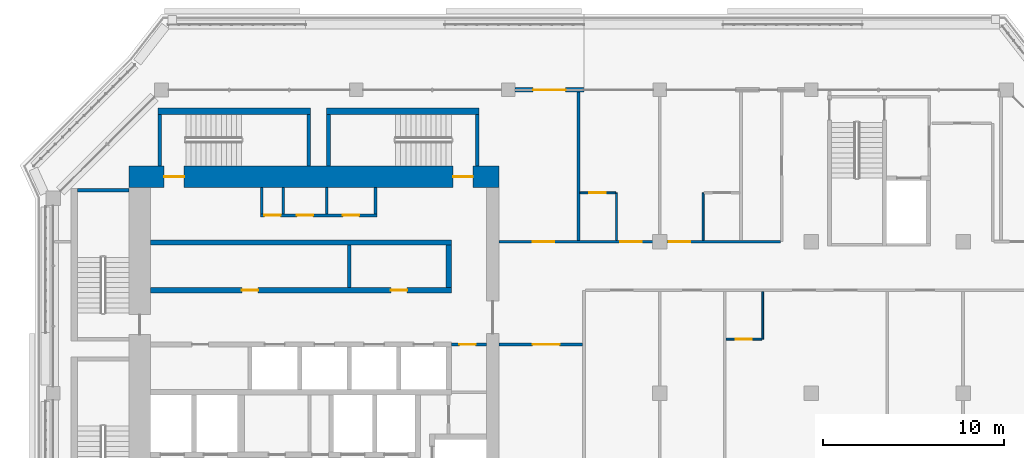
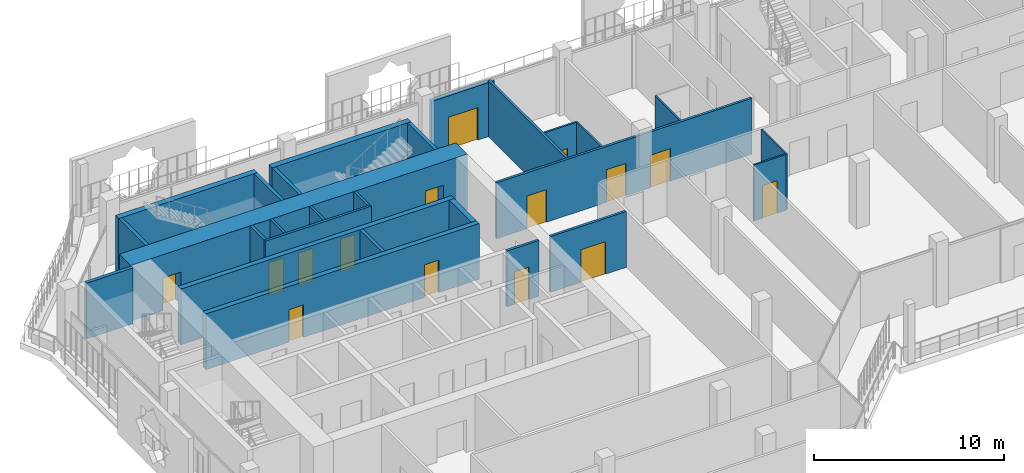
# One storey, part 12 of 21: 27 walls, 15 doors, 15 openings.
"""IFC4 building model written with IfcOpenShell, lengths in metres."""

import ifcopenshell
import ifcopenshell.guid

model = None  # the IFC model being written
_history = None  # IfcOwnerHistory: only IFC2X3 demands one
_inside = {}  # id of a spatial element -> (the spatial element, [elements in it])
_under = {}  # id of a project, library or spatial element -> (it, [spatial elements below it])
_declared = {}  # id of a project -> (the project, [libraries it declares])
_typed = {}  # id of a type object -> (the type object, [elements of that type])
_made_of = {}  # id of a material, layer set ... -> (it, [elements and type objects made of it])


def new_model(schema):
    """Start an empty IFC model of exactly this schema.

    Asked for "IFC4X3", IfcOpenShell would pick the latest addendum, in which some entities
    have other attributes; the version numbers below select the first issue.
    IFC2X3 requires an IfcOwnerHistory on every rooted entity: one is made here for all.
    """
    global model, _history
    if schema == "IFC4X3":
        model = ifcopenshell.file(schema_version=(4, 3, 0, 0))
    else:
        model = ifcopenshell.file(schema=schema)
    _inside.clear()
    _under.clear()
    _declared.clear()
    _typed.clear()
    _made_of.clear()
    _history = None
    if model.schema == "IFC2X3":
        org = make("IfcOrganization", Name="unknown")
        user = make(
            "IfcPersonAndOrganization",
            ThePerson=make("IfcPerson", FamilyName="unknown"),
            TheOrganization=org,
        )
        app = make(
            "IfcApplication",
            ApplicationDeveloper=org,
            Version="unknown",
            ApplicationFullName="unknown",
            ApplicationIdentifier="unknown",
        )
        _history = make(
            "IfcOwnerHistory",
            OwningUser=user,
            OwningApplication=app,
            ChangeAction="ADDED",
            CreationDate=0,
        )
    return model


def make(cls, **values):
    """One entity of the class cls with the attributes given. An attribute that is None is left unset."""
    return model.create_entity(
        cls, **{name: value for name, value in values.items() if value is not None}
    )


def rooted(cls, **values):
    """An entity with a GlobalId (a new one), such as an element, a storey or a relation."""
    return make(cls, GlobalId=ifcopenshell.guid.new(), OwnerHistory=_history, **values)


def si_unit(unit_type, name, prefix=None):
    """IfcSIUnit, for example si_unit("LENGTHUNIT", "METRE", prefix="MILLI")."""
    return make("IfcSIUnit", UnitType=unit_type, Prefix=prefix, Name=name)


def assignment(units):
    """IfcUnitAssignment: the units of a project."""
    return None if units is None else make("IfcUnitAssignment", Units=units)


def point(xyz):
    """IfcCartesianPoint."""
    return None if xyz is None else make("IfcCartesianPoint", Coordinates=xyz)


def direction(xyz):
    """IfcDirection."""
    return None if xyz is None else make("IfcDirection", DirectionRatios=xyz)


def frame(location, z_axis=None, x_axis=None):
    """IfcAxis2Placement3D, a coordinate frame: its origin and axes. An axis left out is left unset."""
    return make(
        "IfcAxis2Placement3D",
        Location=point(location),
        Axis=direction(z_axis),
        RefDirection=direction(x_axis),
    )


def frame_2d(location, x_axis=None):
    """IfcAxis2Placement2D, a coordinate frame in the plane: its origin and x axis."""
    return make(
        "IfcAxis2Placement2D", Location=point(location), RefDirection=direction(x_axis)
    )


def origin():
    """The frame at (0, 0, 0) with its axes left unset."""
    return frame((0.0, 0.0, 0.0))


def place(relative_to, where):
    """IfcLocalPlacement: puts the frame where relative to a parent placement (None: the world)."""
    return make(
        "IfcLocalPlacement", PlacementRelTo=relative_to, RelativePlacement=where
    )


def context(
    kind, dimensions, precision=None, world=None, true_north=None, identifier=None
):
    """IfcGeometricRepresentationContext, for example the 3D "Model" context."""
    return make(
        "IfcGeometricRepresentationContext",
        ContextIdentifier=identifier,
        ContextType=kind,
        CoordinateSpaceDimension=dimensions,
        Precision=precision,
        WorldCoordinateSystem=world,
        TrueNorth=true_north,
    )


def subcontext(parent, identifier, kind, view, scale=None):
    """IfcGeometricRepresentationSubContext, for example "Body" below "Model"."""
    return make(
        "IfcGeometricRepresentationSubContext",
        ContextIdentifier=identifier,
        ContextType=kind,
        ParentContext=parent,
        TargetScale=scale,
        TargetView=view,
    )


def project(units=None, contexts=None):
    """IfcProject with its units and contexts."""
    return rooted(
        "IfcProject",
        Name="project",
        RepresentationContexts=contexts,
        UnitsInContext=assignment(units),
    )


def spatial(cls, under=None, at=None, **own):
    """A site, building, storey or space (cls), placed at a placement, below another one or the project."""
    s = rooted(cls, ObjectPlacement=at, **own)
    if under is not None:
        _under.setdefault(under.id(), (under, []))[1].append(s)
    return s


def profile(cls, at=None, kind="AREA", **sizes):
    """A parametric profile (cls). Its sizes go by their IFC names, for example OverallWidth=200.0."""
    return make(cls, ProfileType=kind, Position=at, **sizes)


def rectangle(**sizes):
    """IfcRectangleProfileDef."""
    return profile("IfcRectangleProfileDef", **sizes)


def extrude(swept, where, along, depth):
    """IfcExtrudedAreaSolid: the profile swept, set in the frame where, extruded along a direction by depth."""
    return make(
        "IfcExtrudedAreaSolid",
        SweptArea=swept,
        Position=where,
        ExtrudedDirection=direction(along),
        Depth=depth,
    )


def shape(context_of_items, identifier, shape_type, items):
    """IfcShapeRepresentation: the items that make up one representation, for example the "Body"."""
    return make(
        "IfcShapeRepresentation",
        ContextOfItems=context_of_items,
        RepresentationIdentifier=identifier,
        RepresentationType=shape_type,
        Items=items,
    )


def material(Name=None, Category=None):
    """IfcMaterial."""
    return make("IfcMaterial", Name=Name, Category=Category)


def layer(
    of_material, thickness, ventilated=None, Name=None, Category=None, Priority=None
):
    """IfcMaterialLayer: one layer of a wall or slab, of a material (None: an air gap)."""
    return make(
        "IfcMaterialLayer",
        Material=of_material,
        LayerThickness=thickness,
        IsVentilated=ventilated,
        Name=Name,
        Category=Category,
        Priority=Priority,
    )


def layer_set(layers, Name=None):
    """IfcMaterialLayerSet."""
    return make("IfcMaterialLayerSet", MaterialLayers=layers, LayerSetName=Name)


def made_of(thing, what):
    """Note that an element or type object is made of a material, layer set ...; save() writes the relation."""
    if what is not None:
        _made_of.setdefault(what.id(), (what, []))[1].append(thing)
    return thing


def type_object(cls, material=None, **own):
    """A type object (cls), such as IfcWallType, which elements share."""
    return made_of(rooted(cls, **own), material)


def element(
    cls,
    number,
    at=None,
    inside=None,
    cuts=None,
    type_object=None,
    material=None,
    context=None,
    identifier="Body",
    shape_type=None,
    held_by="IfcProductDefinitionShape",
    body=None,
    shapes=None,
    **own,
):
    """One element of the class cls, such as IfcWall. Its Tag is "e" and its number.

    at: its placement. inside: the storey or other place that contains it. cuts: it is an
    opening in that element (IfcRelVoidsElement). A single representation is given by context,
    identifier, shape_type and body (its items); several are given by shapes. held_by: the class
    of the entity that holds the representations. save() writes the other relations.
    """
    e = rooted(cls, Tag="e%d" % number, ObjectPlacement=at, **own)
    if body is not None:
        shapes = [shape(context, identifier, shape_type, body)]
    if shapes is not None:
        e.Representation = make(held_by, Representations=shapes)
    if inside is not None:
        _inside.setdefault(inside.id(), (inside, []))[1].append(e)
    if cuts is not None:
        rooted(
            "IfcRelVoidsElement", RelatingBuildingElement=cuts, RelatedOpeningElement=e
        )
    if type_object is not None:
        _typed.setdefault(type_object.id(), (type_object, []))[1].append(e)
    return made_of(e, material)


def fill(opening, filler):
    """IfcRelFillsElement: the door or window that sits in an opening."""
    return rooted(
        "IfcRelFillsElement",
        RelatingOpeningElement=opening,
        RelatedBuildingElement=filler,
    )


def aggregate(whole, parts):
    """IfcRelAggregates: a whole, such as a stair, and the parts it consists of."""
    return rooted("IfcRelAggregates", RelatingObject=whole, RelatedObjects=parts)


def save(model, path):
    """Write the relations noted so far, then the file.

    IfcRelAggregates (storeys below a building ...), IfcRelContainedInSpatialStructure (elements
    in a storey), IfcRelDefinesByType, IfcRelAssociatesMaterial and IfcRelDeclares: one each for
    every whole, place, type object, material and project.
    """
    for whole, parts in _under.values():
        aggregate(whole, parts)
    for where, things in _inside.values():
        rooted(
            "IfcRelContainedInSpatialStructure",
            RelatedElements=things,
            RelatingStructure=where,
        )
    for kind, things in _typed.values():
        rooted("IfcRelDefinesByType", RelatedObjects=things, RelatingType=kind)
    for what, things in _made_of.values():
        rooted("IfcRelAssociatesMaterial", RelatedObjects=things, RelatingMaterial=what)
    for by, libraries in _declared.values():
        rooted("IfcRelDeclares", RelatingContext=by, RelatedDefinitions=libraries)
    model.write(path)


model = new_model("IFC4")

# Units and contexts
model_context = context("Model", 3, precision=1e-05, world=origin(), true_north=direction((0.0, 1.0)))
body_context = subcontext(model_context, "Body", "Model", "MODEL_VIEW")
ifc_project = project(units=[si_unit("LENGTHUNIT", "METRE"), si_unit("AREAUNIT", "SQUARE_METRE"), si_unit("VOLUMEUNIT", "CUBIC_METRE"), si_unit("PLANEANGLEUNIT", "RADIAN"), si_unit("MASSUNIT", "GRAM", prefix="KILO")], contexts=[model_context])

# Site, building, storey
site_placement = place(None, origin())
site = spatial("IfcSite", under=ifc_project, at=site_placement, CompositionType="ELEMENT")
building_placement = place(site_placement, origin())
building = spatial("IfcBuilding", under=site, at=building_placement, Name="Kawkab Arch Medical Tower", CompositionType="ELEMENT")
storey_placement = place(building_placement, frame((0.0, 0.0, 307.0)))
storey = spatial("IfcBuildingStorey", under=building, at=storey_placement, Name="L71", CompositionType="ELEMENT", Elevation=307.0)

# Wall, openings, doors
ifc_material_1 = material(Name="Concrete C50/60", Category="concrete")
ifc_layer_1 = layer(ifc_material_1, 1.199951171875)
ifc_layer_set_1 = layer_set([ifc_layer_1], Name="Concrete C50/60")
wall_type_1 = type_object("IfcWallType", Name="Core ring wall 1200 C50/60", PredefinedType="SHEAR", material=ifc_layer_set_1)
wall_1_placement = place(storey_placement, frame((4.199951171875, -4.800048828125, 0.0), z_axis=(0.0, 0.0, 1.0), x_axis=(1.0, 0.0, 0.0)))
wall_1 = element("IfcWall", 1, at=wall_1_placement, inside=storey, type_object=wall_type_1, Name="L71 core wall", PredefinedType="SHEAR", context=body_context, shape_type="SweptSolid", body=[
    extrude(rectangle(XDim=20.5, YDim=1.199951171875, at=frame_2d((10.25, 0.0))), origin(), (0.0, 0.0, 1.0), 3.60009765625),
])
opening_1_placement = place(wall_1_placement, frame((1.949951171875, 0.0, 0.0)))
opening_1 = element("IfcOpeningElement", 2, at=opening_1_placement, cuts=wall_1, Name="Opening SD", PredefinedType="OPENING", context=body_context, shape_type="SweptSolid", body=[
    extrude(rectangle(XDim=1.10009765625, YDim=2.10009765625, at=frame_2d((0.550048828125, 1.050048828125))), frame((0.0, 0.60986328125, 0.0), z_axis=(0.0, -1.0, 0.0), x_axis=(1.0, 0.0, 0.0)), (0.0, 0.0, 1.0), 1.219970703125),
])
opening_2_placement = place(wall_1_placement, frame((17.949951171875, 0.0, 0.0)))
opening_2 = element("IfcOpeningElement", 3, at=opening_2_placement, cuts=wall_1, Name="Opening SD", PredefinedType="OPENING", context=body_context, shape_type="SweptSolid", body=[
    extrude(rectangle(XDim=1.10009765625, YDim=2.10009765625, at=frame_2d((0.550048828125, 1.050048828125))), frame((0.0, 0.60986328125, 0.0), z_axis=(0.0, -1.0, 0.0), x_axis=(1.0, 0.0, 0.0)), (0.0, 0.0, 1.0), 1.219970703125),
])
ifc_material_2 = material(Name="Hollow metal fire door leaf")
door_type_1 = type_object("IfcDoorType", Name="Exit stair door 1100", OperationType="SINGLE_SWING_LEFT", PredefinedType="DOOR", material=ifc_material_2)
door_1_placement = place(opening_1_placement, origin())
door_1 = element("IfcDoor", 4, at=door_1_placement, inside=storey, type_object=door_type_1, Name="L71 Exit stair ST3 door", OperationType="SINGLE_SWING_LEFT", OverallHeight=2.10009765625, OverallWidth=1.10009765625, PredefinedType="DOOR", context=body_context, shape_type="SweptSolid", body=[
    extrude(rectangle(XDim=1.10009765625, YDim=2.10009765625, at=frame_2d((0.550048828125, 1.050048828125))), frame((0.0, 0.02490234375, 0.0), z_axis=(0.0, -1.0, 0.0), x_axis=(1.0, 0.0, 0.0)), (0.0, 0.0, 1.0), 0.050048828125),
])
fill(opening_1, door_1)
door_2_placement = place(opening_2_placement, origin())
door_2 = element("IfcDoor", 5, at=door_2_placement, inside=storey, type_object=door_type_1, Name="L71 Exit stair ST4 door", OperationType="SINGLE_SWING_LEFT", OverallHeight=2.10009765625, OverallWidth=1.10009765625, PredefinedType="DOOR", context=body_context, shape_type="SweptSolid", body=[
    extrude(rectangle(XDim=1.10009765625, YDim=2.10009765625, at=frame_2d((0.550048828125, 1.050048828125))), frame((0.0, 0.02490234375, 0.0), z_axis=(0.0, -1.0, 0.0), x_axis=(1.0, 0.0, 0.0)), (0.0, 0.0, 1.0), 0.050048828125),
])
fill(opening_2, door_2)

# Wall, opening, door
ifc_material_3 = material(Name="Gypsum board on steel studs", Category="steel")
ifc_layer_2 = layer(ifc_material_3, 0.14990234375)
ifc_layer_set_2 = layer_set([ifc_layer_2], Name="Gypsum board on steel studs")
wall_type_2 = type_object("IfcWallType", Name="Core room partition 150", PredefinedType="PARTITIONING", material=ifc_layer_set_2)
wall_2_placement = place(storey_placement, frame((22.050048828125, -14.10009765625, 0.0), z_axis=(0.0, 0.0, 1.0), x_axis=(1.0, 0.0, 0.0)))
wall_2 = element("IfcWall", 6, at=wall_2_placement, inside=storey, type_object=wall_type_2, Name="L71 core room partition", PredefinedType="PARTITIONING", context=body_context, shape_type="SweptSolid", body=[
    extrude(rectangle(XDim=1.949951171875, YDim=0.14990234375, at=frame_2d((0.97509765625, 0.0))), origin(), (0.0, 0.0, 1.0), 3.60009765625),
])
opening_3_placement = place(wall_2_placement, frame((0.449951171875, 0.0, 0.0)))
opening_3 = element("IfcOpeningElement", 7, at=opening_3_placement, cuts=wall_2, Name="Opening RD", PredefinedType="OPENING", context=body_context, shape_type="SweptSolid", body=[
    extrude(rectangle(XDim=0.89990234375, YDim=2.10009765625, at=frame_2d((0.449951171875, 1.050048828125))), frame((0.0, 0.0849609375, 0.0), z_axis=(0.0, -1.0, 0.0), x_axis=(1.0, 0.0, 0.0)), (0.0, 0.0, 1.0), 0.169921875),
])
ifc_material_4 = material(Name="Hollow metal fire door leaf")
door_type_2 = type_object("IfcDoorType", Name="Core room door 900", OperationType="SINGLE_SWING_LEFT", PredefinedType="DOOR", material=ifc_material_4)
door_3_placement = place(opening_3_placement, origin())
door_3 = element("IfcDoor", 8, at=door_3_placement, inside=storey, type_object=door_type_2, Name="L71 Comms room door", OperationType="SINGLE_SWING_LEFT", OverallHeight=2.10009765625, OverallWidth=0.89990234375, PredefinedType="DOOR", context=body_context, shape_type="SweptSolid", body=[
    extrude(rectangle(XDim=0.89990234375, YDim=2.10009765625, at=frame_2d((0.449951171875, 1.050048828125))), frame((0.0, 0.02490234375, 0.0), z_axis=(0.0, -1.0, 0.0), x_axis=(1.0, 0.0, 0.0)), (0.0, 0.0, 1.0), 0.050048828125),
])
fill(opening_3, door_3)

# Wall, openings, doors
wall_3_placement = place(storey_placement, frame((11.47509765625, -6.949951171875, 0.0), z_axis=(0.0, 0.0, 1.0), x_axis=(1.0, 0.0, 0.0)))
wall_3 = element("IfcWall", 9, at=wall_3_placement, inside=storey, type_object=wall_type_2, Name="L71 core room partition", PredefinedType="PARTITIONING", context=body_context, shape_type="SweptSolid", body=[
    extrude(rectangle(XDim=6.449951171875, YDim=0.14990234375, at=frame_2d((3.22509765625, 0.0))), origin(), (0.0, 0.0, 1.0), 3.60009765625),
])
opening_4_placement = place(wall_3_placement, frame((0.22509765625, 0.0, 0.0)))
opening_4 = element("IfcOpeningElement", 10, at=opening_4_placement, cuts=wall_3, Name="Opening RD", PredefinedType="OPENING", context=body_context, shape_type="SweptSolid", body=[
    extrude(rectangle(XDim=0.89990234375, YDim=2.10009765625, at=frame_2d((0.449951171875, 1.050048828125))), frame((0.0, 0.0849609375, 0.0), z_axis=(0.0, -1.0, 0.0), x_axis=(1.0, 0.0, 0.0)), (0.0, 0.0, 1.0), 0.169921875),
])
opening_5_placement = place(wall_3_placement, frame((2.02490234375, 0.0, 0.0)))
opening_5 = element("IfcOpeningElement", 11, at=opening_5_placement, cuts=wall_3, Name="Opening RD", PredefinedType="OPENING", context=body_context, shape_type="SweptSolid", body=[
    extrude(rectangle(XDim=0.89990234375, YDim=2.10009765625, at=frame_2d((0.449951171875, 1.050048828125))), frame((0.0, 0.0849609375, 0.0), z_axis=(0.0, -1.0, 0.0), x_axis=(1.0, 0.0, 0.0)), (0.0, 0.0, 1.0), 0.169921875),
])
opening_6_placement = place(wall_3_placement, frame((4.574951171875, 0.0, 0.0)))
opening_6 = element("IfcOpeningElement", 12, at=opening_6_placement, cuts=wall_3, Name="Opening RD", PredefinedType="OPENING", context=body_context, shape_type="SweptSolid", body=[
    extrude(rectangle(XDim=0.89990234375, YDim=2.10009765625, at=frame_2d((0.449951171875, 1.050048828125))), frame((0.0, 0.0849609375, 0.0), z_axis=(0.0, -1.0, 0.0), x_axis=(1.0, 0.0, 0.0)), (0.0, 0.0, 1.0), 0.169921875),
])
door_4_placement = place(opening_4_placement, origin())
door_4 = element("IfcDoor", 13, at=door_4_placement, inside=storey, type_object=door_type_2, Name="L71 Electrical riser room door", OperationType="SINGLE_SWING_LEFT", OverallHeight=2.10009765625, OverallWidth=0.89990234375, PredefinedType="DOOR", context=body_context, shape_type="SweptSolid", body=[
    extrude(rectangle(XDim=0.89990234375, YDim=2.10009765625, at=frame_2d((0.449951171875, 1.050048828125))), frame((0.0, 0.02490234375, 0.0), z_axis=(0.0, -1.0, 0.0), x_axis=(1.0, 0.0, 0.0)), (0.0, 0.0, 1.0), 0.050048828125),
])
fill(opening_4, door_4)
door_5_placement = place(opening_5_placement, origin())
door_5 = element("IfcDoor", 14, at=door_5_placement, inside=storey, type_object=door_type_2, Name="L71 Linen store door", OperationType="SINGLE_SWING_LEFT", OverallHeight=2.10009765625, OverallWidth=0.89990234375, PredefinedType="DOOR", context=body_context, shape_type="SweptSolid", body=[
    extrude(rectangle(XDim=0.89990234375, YDim=2.10009765625, at=frame_2d((0.449951171875, 1.050048828125))), frame((0.0, 0.02490234375, 0.0), z_axis=(0.0, -1.0, 0.0), x_axis=(1.0, 0.0, 0.0)), (0.0, 0.0, 1.0), 0.050048828125),
])
fill(opening_5, door_5)
door_6_placement = place(opening_6_placement, origin())
door_6 = element("IfcDoor", 15, at=door_6_placement, inside=storey, type_object=door_type_2, Name="L71 Clean utility room door", OperationType="SINGLE_SWING_LEFT", OverallHeight=2.10009765625, OverallWidth=0.89990234375, PredefinedType="DOOR", context=body_context, shape_type="SweptSolid", body=[
    extrude(rectangle(XDim=0.89990234375, YDim=2.10009765625, at=frame_2d((0.449951171875, 1.050048828125))), frame((0.0, 0.02490234375, 0.0), z_axis=(0.0, -1.0, 0.0), x_axis=(1.0, 0.0, 0.0)), (0.0, 0.0, 1.0), 0.050048828125),
])
fill(opening_6, door_6)

# Walls
for number, where, z_axis, x_axis, name in (
    (16, (11.550048828125, -6.875, 0.0), (0.0, 0.0, 1.0), (0.0, 1.0, 0.0), "L71 core room partition"),
    (17, (12.75, -6.875, 0.0), (0.0, 0.0, 1.0), (0.0, 1.0, 0.0), "L71 core room partition"),
    (18, (15.14990234375, -6.875, 0.0), (0.0, 0.0, 1.0), (0.0, 1.0, 0.0), "L71 core room partition"),
    (19, (17.85009765625, -6.875, 0.0), (0.0, 0.0, 1.0), (0.0, 1.0, 0.0), "L71 core room partition"),
):
    element("IfcWall", number, at=place(storey_placement, frame(where, z_axis=z_axis, x_axis=x_axis)), inside=storey, type_object=wall_type_2, Name=name, PredefinedType="PARTITIONING", context=body_context, shape_type="SweptSolid", body=[
        extrude(rectangle(XDim=1.47509765625, YDim=0.14990234375, at=frame_2d((0.737548828125, 0.0))), origin(), (0.0, 0.0, 1.0), 3.60009765625),
    ])
ifc_material_5 = material(Name="Concrete C60/75", Category="concrete")
ifc_layer_3 = layer(ifc_material_5, 0.300048828125)
ifc_layer_set_3 = layer_set([ifc_layer_3], Name="Concrete C60/75")
wall_type_3 = type_object("IfcWallType", Name="Core shear wall 300 C60/75", PredefinedType="SHEAR", material=ifc_layer_set_3)
wall_4_placement = place(storey_placement, frame((5.39990234375, -8.449951171875, 0.0), z_axis=(0.0, 0.0, 1.0), x_axis=(1.0, 0.0, 0.0)))
element("IfcWall", 20, at=wall_4_placement, inside=storey, type_object=wall_type_3, Name="L71 core shear wall", PredefinedType="SHEAR", context=body_context, shape_type="SweptSolid", body=[
    extrude(rectangle(XDim=16.650146484375, YDim=0.300048828125, at=frame_2d((8.3251953125, 0.0))), origin(), (0.0, 0.0, 1.0), 3.60009765625),
])

# Wall, openings, doors
wall_5_placement = place(storey_placement, frame((5.39990234375, -11.10009765625, 0.0), z_axis=(0.0, 0.0, 1.0), x_axis=(1.0, 0.0, 0.0)))
wall_5 = element("IfcWall", 21, at=wall_5_placement, inside=storey, type_object=wall_type_3, Name="L71 core shear wall", PredefinedType="SHEAR", context=body_context, shape_type="SweptSolid", body=[
    extrude(rectangle(XDim=16.650146484375, YDim=0.300048828125, at=frame_2d((8.3251953125, 0.0))), origin(), (0.0, 0.0, 1.0), 3.60009765625),
])
opening_7_placement = place(wall_5_placement, frame((5.050048828125, 0.0, 0.0)))
opening_7 = element("IfcOpeningElement", 22, at=opening_7_placement, cuts=wall_5, Name="Opening RD", PredefinedType="OPENING", context=body_context, shape_type="SweptSolid", body=[
    extrude(rectangle(XDim=0.89990234375, YDim=2.10009765625, at=frame_2d((0.449951171875, 1.050048828125))), frame((0.0, 0.159912109375, 0.0), z_axis=(0.0, -1.0, 0.0), x_axis=(1.0, 0.0, 0.0)), (0.0, 0.0, 1.0), 0.320068359375),
])
opening_8_placement = place(wall_5_placement, frame((13.300048828125, 0.0, 0.0)))
opening_8 = element("IfcOpeningElement", 23, at=opening_8_placement, cuts=wall_5, Name="Opening RD", PredefinedType="OPENING", context=body_context, shape_type="SweptSolid", body=[
    extrude(rectangle(XDim=0.89990234375, YDim=2.10009765625, at=frame_2d((0.449951171875, 1.050048828125))), frame((0.0, 0.159912109375, 0.0), z_axis=(0.0, -1.0, 0.0), x_axis=(1.0, 0.0, 0.0)), (0.0, 0.0, 1.0), 0.320068359375),
])
door_7_placement = place(opening_7_placement, origin())
door_7 = element("IfcDoor", 24, at=door_7_placement, inside=storey, type_object=door_type_2, Name="L71 Housekeeping store door", OperationType="SINGLE_SWING_LEFT", OverallHeight=2.10009765625, OverallWidth=0.89990234375, PredefinedType="DOOR", context=body_context, shape_type="SweptSolid", body=[
    extrude(rectangle(XDim=0.89990234375, YDim=2.10009765625, at=frame_2d((0.449951171875, 1.050048828125))), frame((0.0, 0.02490234375, 0.0), z_axis=(0.0, -1.0, 0.0), x_axis=(1.0, 0.0, 0.0)), (0.0, 0.0, 1.0), 0.050048828125),
])
fill(opening_7, door_7)
door_8_placement = place(opening_8_placement, origin())
door_8 = element("IfcDoor", 25, at=door_8_placement, inside=storey, type_object=door_type_2, Name="L71 Medication store door", OperationType="SINGLE_SWING_LEFT", OverallHeight=2.10009765625, OverallWidth=0.89990234375, PredefinedType="DOOR", context=body_context, shape_type="SweptSolid", body=[
    extrude(rectangle(XDim=0.89990234375, YDim=2.10009765625, at=frame_2d((0.449951171875, 1.050048828125))), frame((0.0, 0.02490234375, 0.0), z_axis=(0.0, -1.0, 0.0), x_axis=(1.0, 0.0, 0.0)), (0.0, 0.0, 1.0), 0.050048828125),
])
fill(opening_8, door_8)

# Wall
wall_6_placement = place(storey_placement, frame((21.89990234375, -10.949951171875, 0.0), z_axis=(0.0, 0.0, 1.0), x_axis=(0.0, 1.0, 0.0)))
element("IfcWall", 26, at=wall_6_placement, inside=storey, type_object=wall_type_3, Name="L71 core shear wall", PredefinedType="SHEAR", context=body_context, shape_type="SweptSolid", body=[
    extrude(rectangle(XDim=2.349853515625, YDim=0.300048828125, at=frame_2d((1.1748046875, 0.0))), origin(), (0.0, 0.0, 1.0), 3.60009765625),
])

# Wall, opening, door
ifc_material_6 = material(Name="Bronze clad insulated wall panel")
ifc_layer_4 = layer(ifc_material_6, 0.25)
ifc_layer_set_4 = layer_set([ifc_layer_4], Name="Bronze clad insulated wall panel")
wall_type_4 = type_object("IfcWallType", Name="External wall bay 250", PredefinedType="SOLIDWALL", material=ifc_layer_set_4)
wall_7_placement = place(storey_placement, frame((29.39990234375, 0.0, 0.0), z_axis=(0.0, 0.0, 1.0), x_axis=(-1.0, 0.0, 0.0)))
wall_7 = element("IfcWall", 27, at=wall_7_placement, inside=storey, type_object=wall_type_4, Name="External wall bay L71.R15.3.2", PredefinedType="SOLIDWALL", context=body_context, shape_type="SweptSolid", body=[
    extrude(rectangle(XDim=3.824951171875, YDim=0.25, at=frame_2d((1.91259765625, 0.0))), origin(), (0.0, 0.0, 1.0), 3.47998046875),
])
opening_9_placement = place(wall_7_placement, frame((1.012451171875, 0.0, 0.0)))
opening_9 = element("IfcOpeningElement", 28, at=opening_9_placement, cuts=wall_7, Name="Opening W71-701", PredefinedType="OPENING", context=body_context, shape_type="SweptSolid", body=[
    extrude(rectangle(XDim=1.800048828125, YDim=2.10009765625, at=frame_2d((0.89990234375, 1.050048828125))), frame((0.0, 0.135009765625, 0.0), z_axis=(0.0, -1.0, 0.0), x_axis=(1.0, 0.0, 0.0)), (0.0, 0.0, 1.0), 0.27001953125),
])
ifc_material_7 = material(Name="Bronze anodised aluminium door with tinted glass", Category="aluminium")
door_type_3 = type_object("IfcDoorType", Name="Double external door 1800 x 2100", OperationType="DOUBLE_DOOR_SINGLE_SWING", PredefinedType="DOOR", material=ifc_material_7)
door_9_placement = place(opening_9_placement, origin())
door_9 = element("IfcDoor", 29, at=door_9_placement, inside=storey, type_object=door_type_3, Name="External door L71.R15.3.2", OperationType="DOUBLE_DOOR_SINGLE_SWING", OverallHeight=2.10009765625, OverallWidth=1.800048828125, PredefinedType="DOOR", context=body_context, shape_type="SweptSolid", body=[
    extrude(rectangle(XDim=1.800048828125, YDim=2.10009765625, at=frame_2d((0.89990234375, 1.050048828125))), frame((0.0, 0.02490234375, 0.0), z_axis=(0.0, -1.0, 0.0), x_axis=(1.0, 0.0, 0.0)), (0.0, 0.0, 1.0), 0.050048828125),
])
fill(opening_9, door_9)

# Wall
ifc_material_8 = material(Name="Dense concrete blockwork", Category="masonry")
ifc_layer_5 = layer(ifc_material_8, 0.199951171875)
ifc_layer_set_5 = layer_set([ifc_layer_5], Name="Dense concrete blockwork")
wall_type_5 = type_object("IfcWallType", Name="Lift shaft partition 200", PredefinedType="PARTITIONING", material=ifc_layer_set_5)
wall_8_placement = place(storey_placement, frame((16.39990234375, -10.949951171875, 0.0), z_axis=(0.0, 0.0, 1.0), x_axis=(0.0, 1.0, 0.0)))
element("IfcWall", 30, at=wall_8_placement, inside=storey, type_object=wall_type_5, Name="L71 lift shaft partition", PredefinedType="PARTITIONING", context=body_context, shape_type="SweptSolid", body=[
    extrude(rectangle(XDim=2.349853515625, YDim=0.199951171875, at=frame_2d((1.1748046875, 0.0))), origin(), (0.0, 0.0, 1.0), 3.60009765625),
])

# Wall, opening, door
ifc_material_9 = material(Name="Gypsum board partition on steel studs", Category="steel")
ifc_layer_6 = layer(ifc_material_9, 0.10009765625)
ifc_layer_set_6 = layer_set([ifc_layer_6], Name="Gypsum board partition on steel studs")
wall_type_6 = type_object("IfcWallType", Name="Partition 100", PredefinedType="PARTITIONING", material=ifc_layer_set_6)
wall_9_placement = place(storey_placement, frame((37.27490234375, -13.800048828125, 0.0), z_axis=(0.0, 0.0, 1.0), x_axis=(1.0, 0.0, 0.0)))
wall_9 = element("IfcWall", 31, at=wall_9_placement, inside=storey, type_object=wall_type_6, Name="Partition 100 w001", PredefinedType="PARTITIONING", context=body_context, shape_type="SweptSolid", body=[
    extrude(rectangle(XDim=1.97509765625, YDim=0.10009765625, at=frame_2d((0.987548828125, 0.0))), origin(), (0.0, 0.0, 1.0), 3.60009765625),
])
opening_10_placement = place(wall_9_placement, frame((0.52490234375, 0.0, 0.0)))
opening_10 = element("IfcOpeningElement", 32, at=opening_10_placement, cuts=wall_9, Name="Opening W71-006", PredefinedType="OPENING", context=body_context, shape_type="SweptSolid", body=[
    extrude(rectangle(XDim=0.89990234375, YDim=2.10009765625, at=frame_2d((0.449951171875, 1.050048828125))), frame((0.0, 0.06005859375, 0.0), z_axis=(0.0, -1.0, 0.0), x_axis=(1.0, 0.0, 0.0)), (0.0, 0.0, 1.0), 0.1201171875),
])
ifc_material_10 = material(Name="Timber door leaf", Category="wood")
door_type_4 = type_object("IfcDoorType", Name="Single door 900x2100", OperationType="NOTDEFINED", PredefinedType="DOOR", material=ifc_material_10)
door_10_placement = place(opening_10_placement, origin())
door_10 = element("IfcDoor", 33, at=door_10_placement, inside=storey, type_object=door_type_4, Name="Door W71-006", OperationType="SINGLE_SWING_LEFT", OverallHeight=2.10009765625, OverallWidth=0.89990234375, PredefinedType="DOOR", context=body_context, shape_type="SweptSolid", body=[
    extrude(rectangle(XDim=0.89990234375, YDim=2.10009765625, at=frame_2d((0.449951171875, 1.050048828125))), frame((0.0, 0.02490234375, 0.0), z_axis=(0.0, -1.0, 0.0), x_axis=(1.0, 0.0, 0.0)), (0.0, 0.0, 1.0), 0.050048828125),
])
fill(opening_10, door_10)

wall_10_placement = place(storey_placement, frame((29.175048828125, -5.699951171875, 0.0), z_axis=(0.0, 0.0, 1.0), x_axis=(1.0, 0.0, 0.0)))
wall_10 = element("IfcWall", 34, at=wall_10_placement, inside=storey, type_object=wall_type_6, Name="Partition 100 w002", PredefinedType="PARTITIONING", context=body_context, shape_type="SweptSolid", body=[
    extrude(rectangle(XDim=1.974853515625, YDim=0.10009765625, at=frame_2d((0.9873046875, 0.0))), origin(), (0.0, 0.0, 1.0), 3.60009765625),
])
opening_11_placement = place(wall_10_placement, frame((0.52490234375, 0.0, 0.0)))
opening_11 = element("IfcOpeningElement", 35, at=opening_11_placement, cuts=wall_10, Name="Opening W71-004", PredefinedType="OPENING", context=body_context, shape_type="SweptSolid", body=[
    extrude(rectangle(XDim=0.89990234375, YDim=2.10009765625, at=frame_2d((0.449951171875, 1.050048828125))), frame((0.0, 0.06005859375, 0.0), z_axis=(0.0, -1.0, 0.0), x_axis=(1.0, 0.0, 0.0)), (0.0, 0.0, 1.0), 0.1201171875),
])
door_11_placement = place(opening_11_placement, origin())
door_11 = element("IfcDoor", 36, at=door_11_placement, inside=storey, type_object=door_type_4, Name="Door W71-004", OperationType="SINGLE_SWING_RIGHT", OverallHeight=2.10009765625, OverallWidth=0.89990234375, PredefinedType="DOOR", context=body_context, shape_type="SweptSolid", body=[
    extrude(rectangle(XDim=0.89990234375, YDim=2.10009765625, at=frame_2d((0.449951171875, 1.050048828125))), frame((0.0, 0.02490234375, 0.0), z_axis=(0.0, -1.0, 0.0), x_axis=(1.0, 0.0, 0.0)), (0.0, 0.0, 1.0), 0.050048828125),
])
fill(opening_11, door_11)

# Walls
for number, where, z_axis, x_axis, name in (
    (37, (31.199951171875, -8.324951171875, 0.0), (0.0, 0.0, 1.0), (0.0, 1.0, 0.0), "Partition 100 w004"),
    (38, (36.0, -8.324951171875, 0.0), (0.0, 0.0, 1.0), (0.0, 1.0, 0.0), "Partition 100 w005"),
    (39, (39.300048828125, -13.800048828125, 0.0), (0.0, 0.0, 1.0), (0.0, 1.0, 0.0), "Partition 100 w006"),
):
    element("IfcWall", number, at=place(storey_placement, frame(where, z_axis=z_axis, x_axis=x_axis)), inside=storey, type_object=wall_type_6, Name=name, PredefinedType="PARTITIONING", context=body_context, shape_type="SweptSolid", body=[
        extrude(rectangle(XDim=2.625, YDim=0.10009765625, at=frame_2d((1.3125, 0.0))), origin(), (0.0, 0.0, 1.0), 3.60009765625),
    ])

# Wall, opening, door
ifc_material_11 = material(Name="Gypsum board partition on steel studs, mineral wool", Category="steel")
ifc_layer_7 = layer(ifc_material_11, 0.14990234375)
ifc_layer_set_7 = layer_set([ifc_layer_7], Name="Gypsum board partition on steel studs, mineral wool")
wall_type_7 = type_object("IfcWallType", Name="Partition 150", PredefinedType="PARTITIONING", material=ifc_layer_set_7)
wall_11_placement = place(storey_placement, frame((24.699951171875, -14.10009765625, 0.0), z_axis=(0.0, 0.0, 1.0), x_axis=(1.0, 0.0, 0.0)))
wall_11 = element("IfcWall", 40, at=wall_11_placement, inside=storey, type_object=wall_type_7, Name="Partition 150 w013", PredefinedType="PARTITIONING", context=body_context, shape_type="SweptSolid", body=[
    extrude(rectangle(XDim=4.625, YDim=0.14990234375, at=frame_2d((2.3125, 0.0))), origin(), (0.0, 0.0, 1.0), 3.60009765625),
])
opening_12_placement = place(wall_11_placement, frame((1.85009765625, 0.0, 0.0)))
opening_12 = element("IfcOpeningElement", 41, at=opening_12_placement, cuts=wall_11, Name="Opening W71-001", PredefinedType="OPENING", context=body_context, shape_type="SweptSolid", body=[
    extrude(rectangle(XDim=1.5, YDim=2.10009765625, at=frame_2d((0.75, 1.050048828125))), frame((0.0, 0.0849609375, 0.0), z_axis=(0.0, -1.0, 0.0), x_axis=(1.0, 0.0, 0.0)), (0.0, 0.0, 1.0), 0.169921875),
])
ifc_material_12 = material(Name="Hollow metal door leaf")
door_type_5 = type_object("IfcDoorType", Name="Double door 1500x2100 FD30S", OperationType="NOTDEFINED", PredefinedType="DOOR", material=ifc_material_12)
door_12_placement = place(opening_12_placement, origin())
door_12 = element("IfcDoor", 42, at=door_12_placement, inside=storey, type_object=door_type_5, Name="Door W71-001", OperationType="DOUBLE_DOOR_SINGLE_SWING", OverallHeight=2.10009765625, OverallWidth=1.5, PredefinedType="DOOR", context=body_context, shape_type="SweptSolid", body=[
    extrude(rectangle(XDim=1.5, YDim=2.10009765625, at=frame_2d((0.75, 1.050048828125))), frame((0.0, 0.02490234375, 0.0), z_axis=(0.0, -1.0, 0.0), x_axis=(1.0, 0.0, 0.0)), (0.0, 0.0, 1.0), 0.050048828125),
])
fill(opening_12, door_12)

# Wall, openings, doors
wall_12_placement = place(storey_placement, frame((24.699951171875, -8.39990234375, 0.0), z_axis=(0.0, 0.0, 1.0), x_axis=(1.0, 0.0, 0.0)))
wall_12 = element("IfcWall", 43, at=wall_12_placement, inside=storey, type_object=wall_type_7, Name="Partition 150 w016", PredefinedType="PARTITIONING", context=body_context, shape_type="SweptSolid", body=[
    extrude(rectangle(XDim=15.58203125, YDim=0.14990234375, at=frame_2d((7.791015625, 0.0))), origin(), (0.0, 0.0, 1.0), 3.60009765625),
])
opening_13_placement = place(wall_12_placement, frame((1.85009765625, 0.0, 0.0)))
opening_13 = element("IfcOpeningElement", 44, at=opening_13_placement, cuts=wall_12, Name="Opening W71-015", PredefinedType="OPENING", context=body_context, shape_type="SweptSolid", body=[
    extrude(rectangle(XDim=1.199951171875, YDim=2.10009765625, at=frame_2d((0.60009765625, 1.050048828125))), frame((0.0, 0.0849609375, 0.0), z_axis=(0.0, -1.0, 0.0), x_axis=(1.0, 0.0, 0.0)), (0.0, 0.0, 1.0), 0.169921875),
])
opening_14_placement = place(wall_12_placement, frame((6.699951171875, 0.0, 0.0)))
opening_14 = element("IfcOpeningElement", 45, at=opening_14_placement, cuts=wall_12, Name="Opening W71-016", PredefinedType="OPENING", context=body_context, shape_type="SweptSolid", body=[
    extrude(rectangle(XDim=1.199951171875, YDim=2.10009765625, at=frame_2d((0.60009765625, 1.050048828125))), frame((0.0, 0.0849609375, 0.0), z_axis=(0.0, -1.0, 0.0), x_axis=(1.0, 0.0, 0.0)), (0.0, 0.0, 1.0), 0.169921875),
])
opening_15_placement = place(wall_12_placement, frame((9.39990234375, 0.0, 0.0)))
opening_15 = element("IfcOpeningElement", 46, at=opening_15_placement, cuts=wall_12, Name="Opening W71-017", PredefinedType="OPENING", context=body_context, shape_type="SweptSolid", body=[
    extrude(rectangle(XDim=1.199951171875, YDim=2.10009765625, at=frame_2d((0.60009765625, 1.050048828125))), frame((0.0, 0.0849609375, 0.0), z_axis=(0.0, -1.0, 0.0), x_axis=(1.0, 0.0, 0.0)), (0.0, 0.0, 1.0), 0.169921875),
])
ifc_material_13 = material(Name="Hollow metal door leaf")
door_type_6 = type_object("IfcDoorType", Name="Single door 1200x2100 FD30S", OperationType="NOTDEFINED", PredefinedType="DOOR", material=ifc_material_13)
door_13_placement = place(opening_13_placement, origin())
door_13 = element("IfcDoor", 47, at=door_13_placement, inside=storey, type_object=door_type_6, Name="Door W71-015", OperationType="SINGLE_SWING_LEFT", OverallHeight=2.10009765625, OverallWidth=1.199951171875, PredefinedType="DOOR", context=body_context, shape_type="SweptSolid", body=[
    extrude(rectangle(XDim=1.199951171875, YDim=2.10009765625, at=frame_2d((0.60009765625, 1.050048828125))), frame((0.0, 0.02490234375, 0.0), z_axis=(0.0, -1.0, 0.0), x_axis=(1.0, 0.0, 0.0)), (0.0, 0.0, 1.0), 0.050048828125),
])
fill(opening_13, door_13)
door_14_placement = place(opening_14_placement, origin())
door_14 = element("IfcDoor", 48, at=door_14_placement, inside=storey, type_object=door_type_6, Name="Door W71-016", OperationType="SINGLE_SWING_LEFT", OverallHeight=2.10009765625, OverallWidth=1.199951171875, PredefinedType="DOOR", context=body_context, shape_type="SweptSolid", body=[
    extrude(rectangle(XDim=1.199951171875, YDim=2.10009765625, at=frame_2d((0.60009765625, 1.050048828125))), frame((0.0, 0.02490234375, 0.0), z_axis=(0.0, -1.0, 0.0), x_axis=(1.0, 0.0, 0.0)), (0.0, 0.0, 1.0), 0.050048828125),
])
fill(opening_14, door_14)
door_15_placement = place(opening_15_placement, origin())
door_15 = element("IfcDoor", 49, at=door_15_placement, inside=storey, type_object=door_type_6, Name="Door W71-017", OperationType="SINGLE_SWING_RIGHT", OverallHeight=2.10009765625, OverallWidth=1.199951171875, PredefinedType="DOOR", context=body_context, shape_type="SweptSolid", body=[
    extrude(rectangle(XDim=1.199951171875, YDim=2.10009765625, at=frame_2d((0.60009765625, 1.050048828125))), frame((0.0, 0.02490234375, 0.0), z_axis=(0.0, -1.0, 0.0), x_axis=(1.0, 0.0, 0.0)), (0.0, 0.0, 1.0), 0.050048828125),
])
fill(opening_15, door_15)

# Walls
wall_13_placement = place(storey_placement, frame((29.10009765625, -8.324951171875, 0.0), z_axis=(0.0, 0.0, 1.0), x_axis=(0.0, 1.0, 0.0)))
element("IfcWall", 50, at=wall_13_placement, inside=storey, type_object=wall_type_7, Name="Partition 150 w023", PredefinedType="PARTITIONING", context=body_context, shape_type="SweptSolid", body=[
    extrude(rectangle(XDim=8.244873046875, YDim=0.14990234375, at=frame_2d((4.12255859375, 0.0))), origin(), (0.0, 0.0, 1.0), 3.60009765625),
])
ifc_material_14 = material(Name="Concrete C50/60", Category="concrete")
ifc_layer_8 = layer(ifc_material_14, 0.199951171875)
ifc_layer_set_8 = layer_set([ifc_layer_8], Name="Concrete C50/60")
wall_type_8 = type_object("IfcWallType", Name="Stair enclosure wall 200 C50/60", PredefinedType="SHEAR", material=ifc_layer_set_8)
for number, where, z_axis, x_axis, name in (
    (51, (1.35009765625, -5.550048828125, 0.0), (0.0, 0.0, 1.0), (1.0, 0.0, 0.0), "L71 stair enclosure wall"),
    (52, (5.89990234375, -4.199951171875, 0.0), (0.0, 0.0, 1.0), (0.0, 1.0, 0.0), "L71 stair enclosure wall"),
    (53, (14.14990234375, -4.199951171875, 0.0), (0.0, 0.0, 1.0), (0.0, 1.0, 0.0), "L71 stair enclosure wall"),
    (54, (15.25, -4.199951171875, 0.0), (0.0, 0.0, 1.0), (0.0, 1.0, 0.0), "L71 stair enclosure wall"),
    (55, (23.5, -4.199951171875, 0.0), (0.0, 0.0, 1.0), (0.0, 1.0, 0.0), "L71 stair enclosure wall"),
):
    element("IfcWall", number, at=place(storey_placement, frame(where, z_axis=z_axis, x_axis=x_axis)), inside=storey, type_object=wall_type_8, Name=name, PredefinedType="SHEAR", context=body_context, shape_type="SweptSolid", body=[
        extrude(rectangle(XDim=2.849853515625, YDim=0.199951171875, at=frame_2d((1.4248046875, 0.0))), origin(), (0.0, 0.0, 1.0), 3.60009765625),
    ])
ifc_material_15 = material(Name="Concrete C50/60", Category="concrete")
ifc_layer_9 = layer(ifc_material_15, 0.35009765625)
ifc_layer_set_9 = layer_set([ifc_layer_9], Name="Concrete C50/60")
wall_type_9 = type_object("IfcWallType", Name="Stair enclosure wall 350 C50/60", PredefinedType="SHEAR", material=ifc_layer_set_9)
wall_14_placement = place(storey_placement, frame((5.800048828125, -1.175048828125, 0.0), z_axis=(0.0, 0.0, 1.0), x_axis=(1.0, 0.0, 0.0)))
element("IfcWall", 56, at=wall_14_placement, inside=storey, type_object=wall_type_9, Name="L71 stair enclosure wall", PredefinedType="SHEAR", context=body_context, shape_type="SweptSolid", body=[
    extrude(rectangle(XDim=8.449951171875, YDim=0.35009765625, at=frame_2d((4.22509765625, 0.0))), origin(), (0.0, 0.0, 1.0), 3.60009765625),
])
wall_15_placement = place(storey_placement, frame((15.14990234375, -1.175048828125, 0.0), z_axis=(0.0, 0.0, 1.0), x_axis=(1.0, 0.0, 0.0)))
element("IfcWall", 57, at=wall_15_placement, inside=storey, type_object=wall_type_9, Name="L71 stair enclosure wall", PredefinedType="SHEAR", context=body_context, shape_type="SweptSolid", body=[
    extrude(rectangle(XDim=8.4501953125, YDim=0.35009765625, at=frame_2d((4.22509765625, 0.0))), origin(), (0.0, 0.0, 1.0), 3.60009765625),
])

save(model, "model.ifc")
